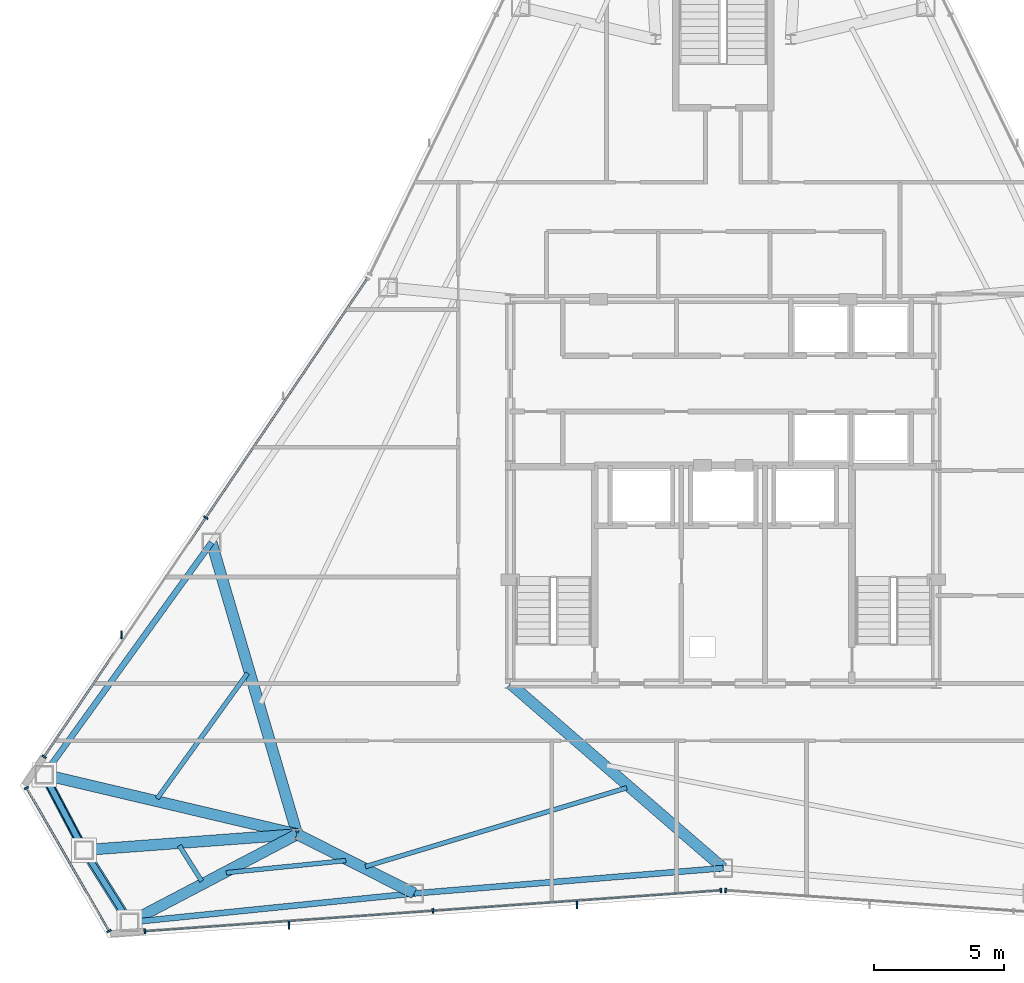
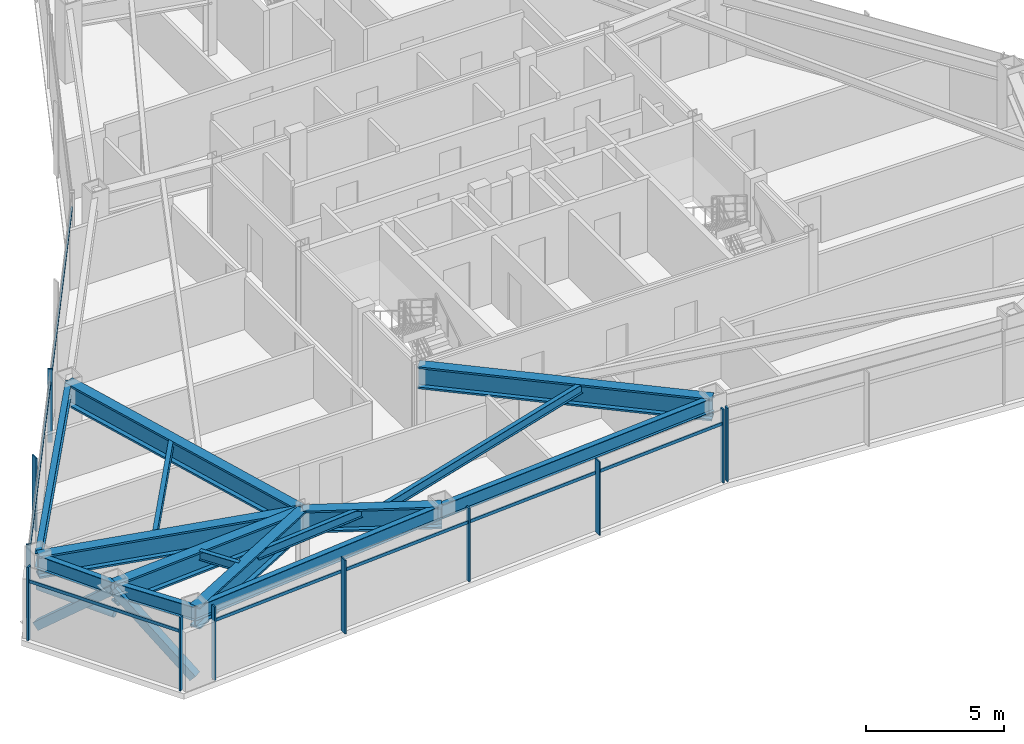
# One storey, part 3 of 12: 17 members, 15 beams, 4 elements without a shape of their own.
"""IFC4 building model written with IfcOpenShell, lengths in metres."""

from ifc_helpers import new_model, si_unit, direction, frame, origin, origin_2d, place, context, subcontext, project, spatial, rectangle, hollow_rectangle, hollow_circle, i_section, extrude, source, transform, mapped, material, layer, layer_set, material_profile, profile_set, type_object, type_shapes, element, aggregate, save


model = new_model("IFC4")

# Units and contexts
model_context = context("Model", 3, precision=1e-05, world=origin(), true_north=direction((0.0, 1.0)))
body_context = subcontext(model_context, "Body", "Model", "MODEL_VIEW")
ifc_project = project(units=[si_unit("LENGTHUNIT", "METRE"), si_unit("AREAUNIT", "SQUARE_METRE"), si_unit("VOLUMEUNIT", "CUBIC_METRE"), si_unit("PLANEANGLEUNIT", "RADIAN"), si_unit("MASSUNIT", "GRAM", prefix="KILO")], contexts=[model_context])

# Site, building, storey
site_placement = place(None, origin())
site = spatial("IfcSite", under=ifc_project, at=site_placement, CompositionType="ELEMENT")
building_placement = place(site_placement, origin())
building = spatial("IfcBuilding", under=site, at=building_placement, Name="Varakhsha Concourse Tower", CompositionType="ELEMENT")
storey_placement = place(building_placement, frame((0.0, 0.0, 211.89990234375)))
storey = spatial("IfcBuildingStorey", under=building, at=storey_placement, Name="L60", CompositionType="ELEMENT", Elevation=211.89990234375)

# Beams
ifc_material_1 = material(Name="Structural Steel ASTM A992 Grade 50", Category="steel")
ifc_material_profile_1 = material_profile(ifc_material_1, i_section(OverallWidth=0.177978515625, OverallDepth=0.406982421875, WebThickness=0.008056640625, FlangeThickness=0.012939453125, at=origin_2d()), Name="W16X40")
ifc_profile_set_1 = profile_set([ifc_material_profile_1], Name="Structural Steel ASTM A992 Grade 50")
beam_type_1 = type_object("IfcBeamType", Name="BM-JST-W16X40", PredefinedType="JOIST", material=ifc_profile_set_1)
beam_1_placement = place(storey_placement, frame((21.6884765625, 16.8017578125, 3.046630859375), z_axis=(-0.584927141354, -0.811085839666, 0.0), x_axis=(0.811085839666, -0.584927141354, 0.0)))
element("IfcBeam", 1, at=beam_1_placement, inside=storey, type_object=beam_type_1, Name="BM-TJST-L60-06", PredefinedType="JOIST", context=body_context, shape_type="SweptSolid", body=[
    extrude(i_section(OverallWidth=0.177978515625, OverallDepth=0.406982421875, WebThickness=0.008056640625, FlangeThickness=0.012939453125, at=origin_2d()), origin(), (0.0, 0.0, 1.0), 5.9501953125),
])
beam_2_placement = place(storey_placement, frame((19.060791015625, 10.166015625, 3.046630859375), z_axis=(0.532597407227, -0.84636871505, 0.0), x_axis=(0.84636871505, 0.532597407227, 0.0)))
element("IfcBeam", 2, at=beam_2_placement, inside=storey, type_object=beam_type_1, Name="BM-TJST-L60-08", PredefinedType="JOIST", context=body_context, shape_type="SweptSolid", body=[
    extrude(i_section(OverallWidth=0.177978515625, OverallDepth=0.406982421875, WebThickness=0.008056640625, FlangeThickness=0.012939453125, at=origin_2d()), origin(), (0.0, 0.0, 1.0), 1.619873046875),
])
beam_3_placement = place(storey_placement, frame((20.866943359375, 9.11962890625, 3.046630859375), z_axis=(0.994878732251, 0.101075754334, 0.0), x_axis=(-0.101075754334, 0.994878732251, 0.0)))
element("IfcBeam", 3, at=beam_3_placement, inside=storey, type_object=beam_type_1, Name="BM-TJST-L60-09", PredefinedType="JOIST", context=body_context, shape_type="SweptSolid", body=[
    extrude(i_section(OverallWidth=0.177978515625, OverallDepth=0.406982421875, WebThickness=0.008056640625, FlangeThickness=0.012939453125, at=origin_2d()), origin(), (0.0, 0.0, 1.0), 4.6279296875),
])
beam_4_placement = place(storey_placement, frame((26.226318359375, 9.35693359375, 3.046630859375), z_axis=(0.9574166911, 0.288709680482, 0.0), x_axis=(-0.288709680482, 0.9574166911, 0.0)))
element("IfcBeam", 4, at=beam_4_placement, inside=storey, type_object=beam_type_1, Name="BM-TJST-L60-10", PredefinedType="JOIST", context=body_context, shape_type="SweptSolid", body=[
    extrude(i_section(OverallWidth=0.177978515625, OverallDepth=0.406982421875, WebThickness=0.008056640625, FlangeThickness=0.012939453125, at=origin_2d()), origin(), (0.0, 0.0, 1.0), 10.5078125),
])
ifc_material_profile_2 = material_profile(ifc_material_1, i_section(OverallWidth=0.22900390625, OverallDepth=0.612060546875, WebThickness=0.011962890625, FlangeThickness=0.02001953125, at=origin_2d()), Name="W24X84")
ifc_profile_set_2 = profile_set([ifc_material_profile_2], Name="Structural Steel ASTM A992 Grade 50")
beam_type_2 = type_object("IfcBeamType", Name="BM-SPAN-W24X84", PredefinedType="SPANDREL", material=ifc_profile_set_2)
beam_5_placement = place(storey_placement, frame((20.301513671875, 21.833740234375, 2.944091796875), z_axis=(-0.584962960084, -0.811060007231, 0.0), x_axis=(0.811060007231, -0.584962960084, 0.0)))
element("IfcBeam", 5, at=beam_5_placement, inside=storey, type_object=beam_type_2, Name="BM-SPAN-L60-06", PredefinedType="SPANDREL", context=body_context, shape_type="SweptSolid", body=[
    extrude(i_section(OverallWidth=0.22900390625, OverallDepth=0.612060546875, WebThickness=0.011962890625, FlangeThickness=0.02001953125, at=origin_2d()), origin(), (0.0, 0.0, 1.0), 11.018310546875),
])
beam_6_placement = place(storey_placement, frame((13.856201171875, 12.897216796875, 2.944091796875), z_axis=(0.466634310193, -0.884450349398, 0.0), x_axis=(0.884450349398, 0.466634310193, 0.0)))
element("IfcBeam", 6, at=beam_6_placement, inside=storey, type_object=beam_type_2, Name="BM-SPAN-L60-07", PredefinedType="SPANDREL", context=body_context, shape_type="SweptSolid", body=[
    extrude(i_section(OverallWidth=0.22900390625, OverallDepth=0.612060546875, WebThickness=0.011962890625, FlangeThickness=0.02001953125, at=origin_2d()), origin(), (0.0, 0.0, 1.0), 3.28564453125),
])
beam_7_placement = place(storey_placement, frame((15.389404296875, 9.9912109375, 2.944091796875), z_axis=(0.532647729471, -0.846337046506, 0.0), x_axis=(0.846337046506, 0.532647729471, 0.0)))
element("IfcBeam", 7, at=beam_7_placement, inside=storey, type_object=beam_type_2, Name="BM-SPAN-L60-08", PredefinedType="SPANDREL", context=body_context, shape_type="SweptSolid", body=[
    extrude(i_section(OverallWidth=0.22900390625, OverallDepth=0.612060546875, WebThickness=0.011962890625, FlangeThickness=0.02001953125, at=origin_2d()), origin(), (0.0, 0.0, 1.0), 3.285888671875),
])
beam_8_placement = place(storey_placement, frame((17.1396484375, 7.210205078125, 2.944091796875), z_axis=(0.994882436683, 0.101039285329, 0.0), x_axis=(-0.101039285329, 0.994882436683, 0.0)))
element("IfcBeam", 8, at=beam_8_placement, inside=storey, type_object=beam_type_2, Name="BM-SPAN-L60-09", PredefinedType="SPANDREL", context=body_context, shape_type="SweptSolid", body=[
    extrude(i_section(OverallWidth=0.22900390625, OverallDepth=0.612060546875, WebThickness=0.011962890625, FlangeThickness=0.02001953125, at=origin_2d()), origin(), (0.0, 0.0, 1.0), 11.018310546875),
])
beam_9_placement = place(storey_placement, frame((28.1015625, 8.323486328125, 2.944091796875), z_axis=(0.996668757849, 0.081556036735, 0.0), x_axis=(-0.081556036735, 0.996668757849, 0.0)))
element("IfcBeam", 9, at=beam_9_placement, inside=storey, type_object=beam_type_2, Name="BM-SPAN-L60-10", PredefinedType="SPANDREL", context=body_context, shape_type="SweptSolid", body=[
    extrude(i_section(OverallWidth=0.22900390625, OverallDepth=0.612060546875, WebThickness=0.011962890625, FlangeThickness=0.02001953125, at=origin_2d()), origin(), (0.0, 0.0, 1.0), 11.938232421875),
])
ifc_material_profile_3 = material_profile(ifc_material_1, i_section(OverallWidth=0.427978515625, OverallDepth=0.97509765625, WebThickness=0.050048828125, FlangeThickness=0.0810546875, at=origin_2d()), Name="W36X395")
ifc_profile_set_3 = profile_set([ifc_material_profile_3], Name="Structural Steel ASTM A992 Grade 50")
beam_type_3 = type_object("IfcBeamType", Name="BM-XFER-W36X395", PredefinedType="USERDEFINED", material=ifc_profile_set_3)
beam_10_placement = place(storey_placement, frame((23.60009765625, 10.60009765625, 2.7626953125), z_axis=(-0.281739548175, 0.959490920746, 0.0), x_axis=(-0.959490920746, -0.281739548175, 0.0)))
element("IfcBeam", 10, at=beam_10_placement, inside=storey, type_object=beam_type_3, Name="L60 Radial Floor Girder 06", ObjectType="GIRDER", PredefinedType="USERDEFINED", context=body_context, shape_type="SweptSolid", body=[
    extrude(i_section(OverallWidth=0.427978515625, OverallDepth=0.97509765625, WebThickness=0.050048828125, FlangeThickness=0.0810546875, at=origin_2d()), origin(), (0.0, 0.0, 1.0), 11.7080078125),
])
beam_11_placement = place(storey_placement, frame((23.60009765625, 10.60009765625, 2.7626953125), z_axis=(-0.973318249516, 0.229459332257, 0.0), x_axis=(-0.229459332257, -0.973318249516, 0.0)))
element("IfcBeam", 11, at=beam_11_placement, inside=storey, type_object=beam_type_3, Name="L60 Radial Floor Girder 07", ObjectType="GIRDER", PredefinedType="USERDEFINED", context=body_context, shape_type="SweptSolid", body=[
    extrude(i_section(OverallWidth=0.427978515625, OverallDepth=0.97509765625, WebThickness=0.050048828125, FlangeThickness=0.0810546875, at=origin_2d()), origin(), (0.0, 0.0, 1.0), 10.010986328125),
])
beam_12_placement = place(storey_placement, frame((23.60009765625, 10.60009765625, 2.7626953125), z_axis=(-0.997261601939, -0.073954697607, 0.0), x_axis=(0.073954697607, -0.997261601939, 0.0)))
element("IfcBeam", 12, at=beam_12_placement, inside=storey, type_object=beam_type_3, Name="L60 Radial Floor Girder 08", ObjectType="GIRDER", PredefinedType="USERDEFINED", context=body_context, shape_type="SweptSolid", body=[
    extrude(i_section(OverallWidth=0.427978515625, OverallDepth=0.97509765625, WebThickness=0.050048828125, FlangeThickness=0.0810546875, at=origin_2d()), origin(), (0.0, 0.0, 1.0), 8.233154296875),
])
beam_13_placement = place(storey_placement, frame((23.60009765625, 10.60009765625, 2.7626953125), z_axis=(-0.885501860742, -0.464635830111, 0.0), x_axis=(0.464635830111, -0.885501860742, 0.0)))
element("IfcBeam", 13, at=beam_13_placement, inside=storey, type_object=beam_type_3, Name="L60 Radial Floor Girder 09", ObjectType="GIRDER", PredefinedType="USERDEFINED", context=body_context, shape_type="SweptSolid", body=[
    extrude(i_section(OverallWidth=0.427978515625, OverallDepth=0.97509765625, WebThickness=0.050048828125, FlangeThickness=0.0810546875, at=origin_2d()), origin(), (0.0, 0.0, 1.0), 7.2958984375),
])
beam_14_placement = place(storey_placement, frame((23.60009765625, 10.60009765625, 2.7626953125), z_axis=(0.892365691824, -0.451313053274, 0.0), x_axis=(0.451313053274, 0.892365691824, 0.0)))
element("IfcBeam", 14, at=beam_14_placement, inside=storey, type_object=beam_type_3, Name="L60 Radial Floor Girder 10", ObjectType="GIRDER", PredefinedType="USERDEFINED", context=body_context, shape_type="SweptSolid", body=[
    extrude(i_section(OverallWidth=0.427978515625, OverallDepth=0.97509765625, WebThickness=0.050048828125, FlangeThickness=0.0810546875, at=origin_2d()), origin(), (0.0, 0.0, 1.0), 5.04443359375),
])
beam_15_placement = place(storey_placement, frame((31.800048828125, 16.39990234375, 2.7626953125), z_axis=(0.755864295136, -0.654728315669, 0.0), x_axis=(0.654728315669, 0.755864295136, 0.0)))
element("IfcBeam", 15, at=beam_15_placement, inside=storey, type_object=beam_type_3, Name="L60 Radial Floor Girder 11", ObjectType="GIRDER", PredefinedType="USERDEFINED", context=body_context, shape_type="SweptSolid", body=[
    extrude(i_section(OverallWidth=0.427978515625, OverallDepth=0.97509765625, WebThickness=0.050048828125, FlangeThickness=0.0810546875, at=origin_2d()), origin(), (0.0, 0.0, 1.0), 10.848388671875),
])

# Members
ifc_material_2 = material(Name="Structural Steel ASTM A500 Grade C", Category="steel")
ifc_material_profile_4 = material_profile(ifc_material_2, hollow_rectangle(XDim=0.35009765625, YDim=0.35009765625, WallThickness=0.01611328125, at=origin_2d()), Name="HSS 350x350x16")
ifc_profile_set_4 = profile_set([ifc_material_profile_4], Name="Structural Steel ASTM A500 Grade C")
member_type_1 = type_object("IfcMemberType", Name="MB-TUBE-HSS350", PredefinedType="BRACE", material=ifc_profile_set_4)
shared_shape_1 = source(origin(), body_context, "Body", "SweptSolid", [
    extrude(hollow_rectangle(XDim=0.35009765625, YDim=0.35009765625, WallThickness=0.01611328125, at=origin_2d()), origin(), (0.0, 0.0, 1.0), 4.33642578125),
])
member_1_placement = place(storey_placement, frame((13.856201171875, 12.897216796875, 0.1201171875), z_axis=(0.353560633732, -0.670132519637, 0.652623386342), x_axis=(0.884450349398, 0.466634310193, 0.0)))
element("IfcMember", 16, at=member_1_placement, inside=storey, type_object=member_type_1, Name="L60 Wind-Corner Tube Brace B03", PredefinedType="BRACE", context=body_context, shape_type="MappedRepresentation", body=[
    mapped(shared_shape_1, transform((0.0, 0.0, 0.0), scale=1.0)),
])
shared_shape_2 = source(origin(), body_context, "Body", "SweptSolid", [
    extrude(hollow_rectangle(XDim=0.35009765625, YDim=0.35009765625, WallThickness=0.01611328125, at=origin_2d()), origin(), (0.0, 0.0, 1.0), 4.336669921875),
])
type_shapes(member_type_1, [shared_shape_1, shared_shape_2])
member_2_placement = place(storey_placement, frame((17.1396484375, 7.210205078125, 0.1201171875), z_axis=(-0.403591903834, 0.641277078612, 0.652592739468), x_axis=(-0.846337046506, -0.532647729471, 0.0)))
element("IfcMember", 17, at=member_2_placement, inside=storey, type_object=member_type_1, Name="L60 Wind-Corner Tube Brace B04", PredefinedType="BRACE", context=body_context, shape_type="MappedRepresentation", body=[
    mapped(shared_shape_2, transform((0.0, 0.0, 0.0), scale=1.0)),
])
ifc_material_profile_5 = material_profile(ifc_material_2, hollow_circle(Radius=0.136474609375, WallThickness=0.011962890625, at=origin_2d()), Name="CHS 273x12")
ifc_profile_set_5 = profile_set([ifc_material_profile_5], Name="Structural Steel ASTM A500 Grade C")
member_type_2 = type_object("IfcMemberType", Name="MB-WIND-CHS273", PredefinedType="COLLAR", material=ifc_profile_set_5)
shared_shape_3 = source(origin(), body_context, "Body", "SweptSolid", [
    extrude(hollow_circle(Radius=0.136474609375, WallThickness=0.011962890625, at=origin_2d()), origin(), (0.0, 0.0, 1.0), 3.28564453125),
])
type_shapes(member_type_2, [shared_shape_3])
member_3_placement = place(storey_placement, frame((13.856201171875, 12.897216796875, 1.800048828125), z_axis=(0.466634310193, -0.884450349398, 0.0), x_axis=(0.884450349398, 0.466634310193, 0.0)))
element("IfcMember", 18, at=member_3_placement, inside=storey, type_object=member_type_2, Name="L60 Wind-Corner Collar Tie 2", PredefinedType="COLLAR", context=body_context, shape_type="MappedRepresentation", body=[
    mapped(shared_shape_3, transform((0.0, 0.0, 0.0), scale=1.0)),
])

# Curtain wall, members
ifc_material_3 = material(Name="Anodised Bronze Architectural Aluminium AA 6063-T6", Category="aluminium")
ifc_layer = layer(ifc_material_3, 0.199951171875, Name="CW-SYS-05")
ifc_layer_set = layer_set([ifc_layer], Name="Anodised Bronze Architectural Aluminium AA 6063-T6")
curtain_wall_type = type_object("IfcCurtainWallType", Name="CW-SYS-05", PredefinedType="NOTDEFINED", material=ifc_layer_set)
curtain_wall_1_placement = place(storey_placement, origin())
curtain_wall_1 = element("IfcCurtainWall", 19, at=curtain_wall_1_placement, inside=storey, type_object=curtain_wall_type, Name="L60 Crystal Curtain Wall F3", PredefinedType="NOTDEFINED")
ifc_material_profile_6 = material_profile(ifc_material_3, rectangle(XDim=0.06494140625, YDim=0.179931640625, at=origin_2d()), Name="CWM-180X65")
ifc_profile_set_6 = profile_set([ifc_material_profile_6], Name="Anodised Bronze Architectural Aluminium AA 6063-T6")
member_type_3 = type_object("IfcMemberType", Name="CWM-180X65", PredefinedType="MULLION", material=ifc_profile_set_6)
shared_shape_4 = source(origin(), body_context, "Body", "SweptSolid", [
    extrude(rectangle(XDim=0.06494140625, YDim=0.179931640625, at=origin_2d()), origin(), (0.0, 0.0, 1.0), 3.25),
])
type_shapes(member_type_3, [shared_shape_4])
member_4_placement = place(storey_placement, frame((13.855224609375, 13.58251953125, 0.0), z_axis=(0.0, 0.0, 1.0), x_axis=(0.559998586649, 0.828493562408, 0.0)))
member_4 = element("IfcMember", 20, at=member_4_placement, type_object=member_type_3, Name="CW-L60-F3 Mullion 00", PredefinedType="MULLION", context=body_context, shape_type="MappedRepresentation", body=[
    mapped(shared_shape_4, transform((0.0, 0.0, 0.0), scale=1.0)),
])
member_5_placement = place(storey_placement, frame((20.080078125, 22.7919921875, 0.0), z_axis=(0.0, 0.0, 1.0), x_axis=(0.559998586649, 0.828493562408, 0.0)))
member_5 = element("IfcMember", 21, at=member_5_placement, type_object=member_type_3, Name="CW-L60-F3 Mullion 01", PredefinedType="MULLION", context=body_context, shape_type="MappedRepresentation", body=[
    mapped(shared_shape_4, transform((0.0, 0.0, 0.0), scale=1.0)),
])

curtain_wall_2_placement = place(storey_placement, origin())
curtain_wall_2 = element("IfcCurtainWall", 22, at=curtain_wall_2_placement, inside=storey, type_object=curtain_wall_type, Name="L60 Chamfer Curtain Wall F4", PredefinedType="NOTDEFINED")
member_6_placement = place(storey_placement, frame((16.35595703125, 6.877197265625, 0.0), z_axis=(0.0, 0.0, 1.0), x_axis=(-0.49999395399, 0.866028894422, 0.0)))
member_6 = element("IfcMember", 23, at=member_6_placement, type_object=member_type_3, Name="CW-L60-F4 Mullion 00", PredefinedType="MULLION", context=body_context, shape_type="MappedRepresentation", body=[
    mapped(shared_shape_4, transform((0.0, 0.0, 0.0), scale=1.0)),
])
member_7_placement = place(storey_placement, frame((13.176025390625, 12.385009765625, 0.0), z_axis=(0.0, 0.0, 1.0), x_axis=(-0.49999395399, 0.866028894422, 0.0)))
member_7 = element("IfcMember", 24, at=member_7_placement, type_object=member_type_3, Name="CW-L60-F4 Mullion 01", PredefinedType="MULLION", context=body_context, shape_type="MappedRepresentation", body=[
    mapped(shared_shape_4, transform((0.0, 0.0, 0.0), scale=1.0)),
])

curtain_wall_3_placement = place(storey_placement, origin())
curtain_wall_3 = element("IfcCurtainWall", 25, at=curtain_wall_3_placement, inside=storey, type_object=curtain_wall_type, Name="L60 Crystal Curtain Wall F5", PredefinedType="NOTDEFINED")
member_8_placement = place(storey_placement, frame((39.908935546875, 8.43896484375, 0.0), z_axis=(0.0, 0.0, 1.0), x_axis=(-0.997496012116, -0.070722739, 0.0)))
member_8 = element("IfcMember", 26, at=member_8_placement, type_object=member_type_3, Name="CW-L60-F5 Mullion 00", PredefinedType="MULLION", context=body_context, shape_type="MappedRepresentation", body=[
    mapped(shared_shape_4, transform((0.0, 0.0, 0.0), scale=1.0)),
])
member_9_placement = place(storey_placement, frame((28.82080078125, 7.65283203125, 0.0), z_axis=(0.0, 0.0, 1.0), x_axis=(-0.997496012116, -0.070722739, 0.0)))
member_9 = element("IfcMember", 27, at=member_9_placement, type_object=member_type_3, Name="CW-L60-F5 Mullion 01", PredefinedType="MULLION", context=body_context, shape_type="MappedRepresentation", body=[
    mapped(shared_shape_4, transform((0.0, 0.0, 0.0), scale=1.0)),
])
member_10_placement = place(storey_placement, frame((17.732421875, 6.86669921875, 0.0), z_axis=(0.0, 0.0, 1.0), x_axis=(-0.997496012116, -0.070722739, 0.0)))
member_10 = element("IfcMember", 28, at=member_10_placement, type_object=member_type_3, Name="CW-L60-F5 Mullion 02", PredefinedType="MULLION", context=body_context, shape_type="MappedRepresentation", body=[
    mapped(shared_shape_4, transform((0.0, 0.0, 0.0), scale=1.0)),
])

# Curtain wall, member
curtain_wall_4_placement = place(storey_placement, origin())
curtain_wall_4 = element("IfcCurtainWall", 29, at=curtain_wall_4_placement, inside=storey, type_object=curtain_wall_type, Name="L60 Crystal Curtain Wall F6", PredefinedType="NOTDEFINED")
member_11_placement = place(storey_placement, frame((40.091064453125, 8.43896484375, 0.0), z_axis=(0.0, 0.0, 1.0), x_axis=(-0.997496012116, 0.070722739, 0.0)))
member_11 = element("IfcMember", 30, at=member_11_placement, type_object=member_type_3, Name="CW-L60-F6 Mullion 02", PredefinedType="MULLION", context=body_context, shape_type="MappedRepresentation", body=[
    mapped(shared_shape_4, transform((0.0, 0.0, 0.0), scale=1.0)),
])
aggregate(curtain_wall_4, [member_11])

# Member
ifc_material_profile_7 = material_profile(ifc_material_3, rectangle(XDim=0.054931640625, YDim=0.300048828125, at=origin_2d()), Name="FIN-BRZ-300")
ifc_profile_set_7 = profile_set([ifc_material_profile_7], Name="Anodised Bronze Architectural Aluminium AA 6063-T6")
member_type_4 = type_object("IfcMemberType", Name="FIN-BRZ-300", PredefinedType="USERDEFINED", material=ifc_profile_set_7)
shared_shape_5 = source(origin(), body_context, "Body", "SweptSolid", [
    extrude(rectangle(XDim=0.054931640625, YDim=0.300048828125, at=origin_2d()), origin(), (0.0, 0.0, 1.0), 3.25),
])
type_shapes(member_type_4, [shared_shape_5])
member_12_placement = place(storey_placement, frame((16.8310546875, 18.27978515625, 0.0), z_axis=(0.0, 0.0, 1.0), x_axis=(1.0, 0.0, 0.0)))
member_12 = element("IfcMember", 31, at=member_12_placement, type_object=member_type_4, Name="L60 Anodised Bronze Solar Fin F3-1", ObjectType="SOLAR FIN", PredefinedType="USERDEFINED", context=body_context, shape_type="MappedRepresentation", body=[
    mapped(shared_shape_5, transform((0.0, 0.0, 0.0), scale=1.0)),
])

member_13_placement = place(storey_placement, frame((34.37646484375, 7.88134765625, 0.0), z_axis=(0.0, 0.0, 1.0), x_axis=(1.0, 0.0, 0.0)))
member_13 = element("IfcMember", 32, at=member_13_placement, type_object=member_type_4, Name="L60 Anodised Bronze Solar Fin F5-1", ObjectType="SOLAR FIN", PredefinedType="USERDEFINED", context=body_context, shape_type="MappedRepresentation", body=[
    mapped(shared_shape_5, transform((0.0, 0.0, 0.0), scale=1.0)),
])

member_14_placement = place(storey_placement, frame((23.288330078125, 7.09521484375, 0.0), z_axis=(0.0, 0.0, 1.0), x_axis=(1.0, 0.0, 0.0)))
member_14 = element("IfcMember", 33, at=member_14_placement, type_object=member_type_4, Name="L60 Anodised Bronze Solar Fin F5-2", ObjectType="SOLAR FIN", PredefinedType="USERDEFINED", context=body_context, shape_type="MappedRepresentation", body=[
    mapped(shared_shape_5, transform((0.0, 0.0, 0.0), scale=1.0)),
])

ifc_material_profile_8 = material_profile(ifc_material_3, rectangle(XDim=0.06005859375, YDim=0.139892578125, at=origin_2d()), Name="CWT-140X60")
ifc_profile_set_8 = profile_set([ifc_material_profile_8], Name="Anodised Bronze Architectural Aluminium AA 6063-T6")
member_type_5 = type_object("IfcMemberType", Name="CWT-140X60", PredefinedType="USERDEFINED", material=ifc_profile_set_8)
shared_shape_6 = source(origin(), body_context, "Body", "SweptSolid", [
    extrude(rectangle(XDim=0.06005859375, YDim=0.139892578125, at=origin_2d()), origin(), (0.0, 0.0, 1.0), 22.232177734375),
])
member_15_placement = place(storey_placement, frame((13.855224609375, 13.58251953125, 2.60009765625), z_axis=(0.559998002966, 0.828493956933, 0.0), x_axis=(-0.828493956933, 0.559998002966, 0.0)))
member_15 = element("IfcMember", 34, at=member_15_placement, type_object=member_type_5, Name="CW-L60-F3 Transom 01", ObjectType="TRANSOM", PredefinedType="USERDEFINED", context=body_context, shape_type="MappedRepresentation", body=[
    mapped(shared_shape_6, transform((0.0, 0.0, 0.0), scale=1.0)),
])

aggregate(curtain_wall_1, [member_4, member_5, member_15, member_12])

member_16_placement = place(storey_placement, frame((39.908935546875, 8.43896484375, 2.60009765625), z_axis=(-0.997496187384, -0.070720266932, 0.0), x_axis=(0.070720266932, -0.997496187384, 0.0)))
member_16 = element("IfcMember", 35, at=member_16_placement, type_object=member_type_5, Name="CW-L60-F5 Transom 01", ObjectType="TRANSOM", PredefinedType="USERDEFINED", context=body_context, shape_type="MappedRepresentation", body=[
    mapped(shared_shape_6, transform((0.0, 0.0, 0.0), scale=1.0)),
])

aggregate(curtain_wall_3, [member_8, member_9, member_10, member_16, member_13, member_14])

shared_shape_7 = source(origin(), body_context, "Body", "SweptSolid", [
    extrude(rectangle(XDim=0.06005859375, YDim=0.139892578125, at=origin_2d()), origin(), (0.0, 0.0, 1.0), 6.35986328125),
])
type_shapes(member_type_5, [shared_shape_6, shared_shape_7])
member_17_placement = place(storey_placement, frame((16.35595703125, 6.877197265625, 2.60009765625), z_axis=(-0.499999364504, 0.866025770688, 0.0), x_axis=(-0.866025770688, -0.499999364504, 0.0)))
member_17 = element("IfcMember", 36, at=member_17_placement, type_object=member_type_5, Name="CW-L60-F4 Transom 01", ObjectType="TRANSOM", PredefinedType="USERDEFINED", context=body_context, shape_type="MappedRepresentation", body=[
    mapped(shared_shape_7, transform((0.0, 0.0, 0.0), scale=1.0)),
])

aggregate(curtain_wall_2, [member_6, member_7, member_17])

save(model, "model.ifc")
